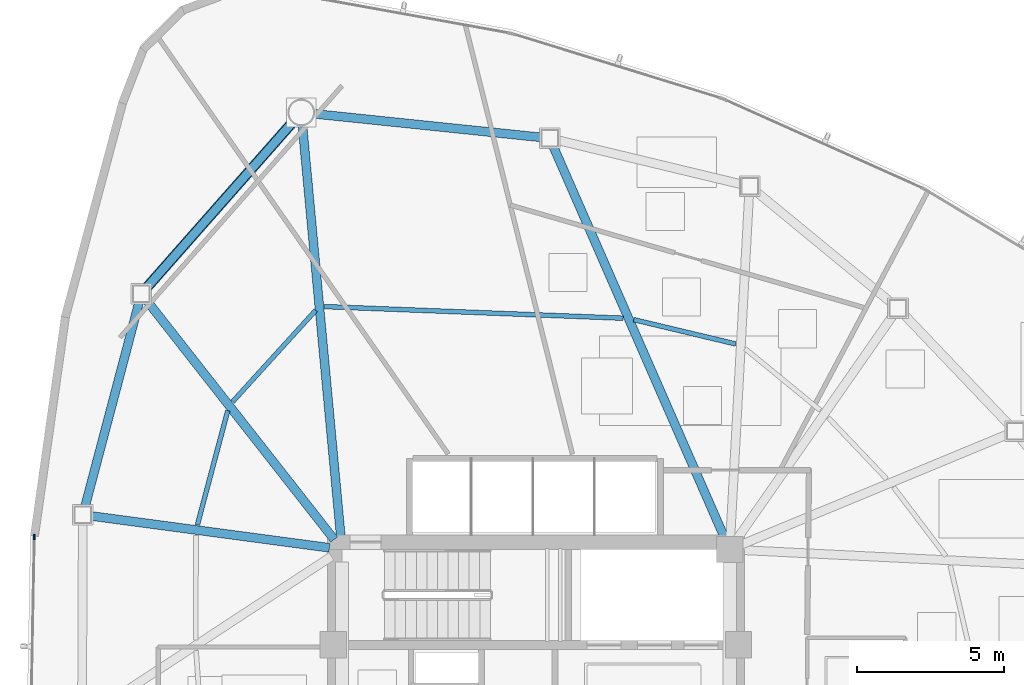
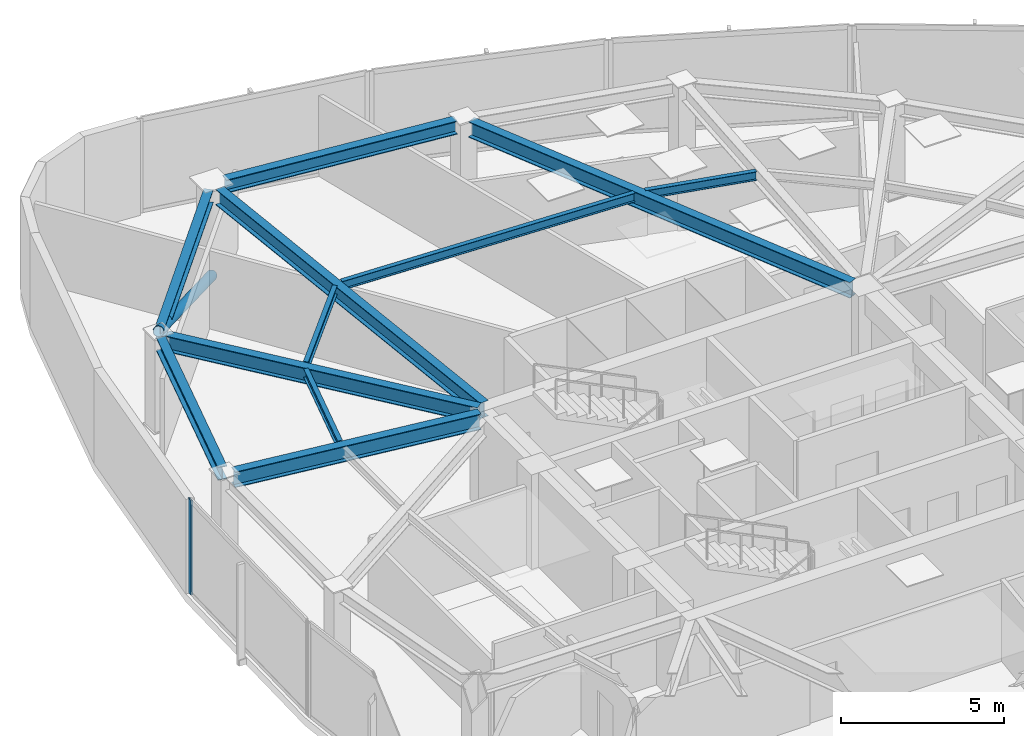
# One storey, part 7 of 17: 11 beams, 2 members, 1 element without a shape of its own.
"""IFC4 building model written with IfcOpenShell, lengths in metres."""

from ifc_helpers import new_model, si_unit, direction, frame, origin, origin_2d, place, context, subcontext, project, spatial, hollow_rectangle, hollow_circle, i_section, extrude, source, transform, mapped, material, layer, layer_set, material_profile, profile_set, type_object, type_shapes, element, aggregate, save


model = new_model("IFC4")

# Units and contexts
model_context = context("Model", 3, precision=1e-05, world=origin(), true_north=direction((0.0, 1.0)))
body_context = subcontext(model_context, "Body", "Model", "MODEL_VIEW")
ifc_project = project(units=[si_unit("LENGTHUNIT", "METRE"), si_unit("AREAUNIT", "SQUARE_METRE"), si_unit("VOLUMEUNIT", "CUBIC_METRE"), si_unit("PLANEANGLEUNIT", "RADIAN"), si_unit("MASSUNIT", "GRAM", prefix="KILO")], contexts=[model_context])

# Site, building, storey
site_placement = place(None, origin())
site = spatial("IfcSite", under=ifc_project, at=site_placement, CompositionType="ELEMENT")
building_placement = place(site_placement, origin())
building = spatial("IfcBuilding", under=site, at=building_placement, Name="Tavelor Broadcast Tower", CompositionType="ELEMENT")
storey_placement = place(building_placement, frame((0.0, 0.0, 169.5)))
storey = spatial("IfcBuildingStorey", under=building, at=storey_placement, Name="L40", CompositionType="ELEMENT", Elevation=169.5)

# Beams
ifc_material_1 = material(Name="Steel S355", Category="steel")
ifc_material_profile_1 = material_profile(ifc_material_1, i_section(OverallWidth=0.159912109375, OverallDepth=0.330078125, WebThickness=0.007568359375, FlangeThickness=0.011474609375, at=origin_2d()), Name="IPE 330")
ifc_profile_set_1 = profile_set([ifc_material_profile_1], Name="Steel S355")
beam_type_1 = type_object("IfcBeamType", Name="Composite Floor Joist T4 IPE 330", PredefinedType="JOIST", material=ifc_profile_set_1)
beam_1_placement = place(storey_placement, frame((42.505615234375, 59.343505859375, 3.385009765625), z_axis=(-0.672852052716, -0.739777071256, 0.0), x_axis=(0.739777071256, -0.672852052716, 0.0)))
element("IfcBeam", 1, at=beam_1_placement, inside=storey, type_object=beam_type_1, Name="L40 Secondary Composite Floor Joist 01", PredefinedType="JOIST", context=body_context, shape_type="SweptSolid", body=[
    extrude(i_section(OverallWidth=0.159912109375, OverallDepth=0.330078125, WebThickness=0.007568359375, FlangeThickness=0.011474609375, at=origin_2d()), origin(), (0.0, 0.0, 1.0), 4.202392578125),
])
beam_2_placement = place(storey_placement, frame((39.509521484375, 55.92578125, 3.385009765625), z_axis=(-0.256963595852, -0.966421083383, 0.0), x_axis=(0.966421083383, -0.256963595852, 0.0)))
element("IfcBeam", 2, at=beam_2_placement, inside=storey, type_object=beam_type_1, Name="L40 Secondary Composite Floor Joist 02", PredefinedType="JOIST", context=body_context, shape_type="SweptSolid", body=[
    extrude(i_section(OverallWidth=0.159912109375, OverallDepth=0.330078125, WebThickness=0.007568359375, FlangeThickness=0.011474609375, at=origin_2d()), origin(), (0.0, 0.0, 1.0), 4.021728515625),
])
beam_3_placement = place(storey_placement, frame((56.804443359375, 58.197021484375, 3.385009765625), z_axis=(-0.972674676245, 0.232172294196, 0.0), x_axis=(-0.232172294196, -0.972674676245, 0.0)))
element("IfcBeam", 3, at=beam_3_placement, inside=storey, type_object=beam_type_1, Name="L40 Secondary Composite Floor Joist 17", PredefinedType="JOIST", context=body_context, shape_type="SweptSolid", body=[
    extrude(i_section(OverallWidth=0.159912109375, OverallDepth=0.330078125, WebThickness=0.007568359375, FlangeThickness=0.011474609375, at=origin_2d()), origin(), (0.0, 0.0, 1.0), 3.56884765625),
])
beam_4_placement = place(storey_placement, frame((52.976318359375, 59.07470703125, 3.385009765625), z_axis=(-0.999243420365, 0.038891989637, 0.0), x_axis=(-0.038891989637, -0.999243420365, 0.0)))
element("IfcBeam", 4, at=beam_4_placement, inside=storey, type_object=beam_type_1, Name="L40 Secondary Composite Floor Joist 18", PredefinedType="JOIST", context=body_context, shape_type="SweptSolid", body=[
    extrude(i_section(OverallWidth=0.159912109375, OverallDepth=0.330078125, WebThickness=0.007568359375, FlangeThickness=0.011474609375, at=origin_2d()), origin(), (0.0, 0.0, 1.0), 10.17578125),
])
ifc_material_profile_2 = material_profile(ifc_material_1, i_section(OverallWidth=0.300048828125, OverallDepth=0.5, WebThickness=0.014404296875, FlangeThickness=0.028076171875, at=origin_2d()), Name="HEB 500")
ifc_profile_set_2 = profile_set([ifc_material_profile_2], Name="Steel S355")
beam_type_2 = type_object("IfcBeamType", Name="Perimeter Spandrel Beam T4 HEB 500", PredefinedType="SPANDREL", material=ifc_profile_set_2)
beam_5_placement = place(storey_placement, frame((41.720947265625, 65.7509765625, 3.300048828125), z_axis=(-0.661625943185, -0.749834055845, 0.0), x_axis=(0.749834055845, -0.661625943185, 0.0)))
element("IfcBeam", 5, at=beam_5_placement, inside=storey, type_object=beam_type_2, Name="L40 Framed-Tube Ring Spandrel 01", PredefinedType="SPANDREL", context=body_context, shape_type="SweptSolid", body=[
    extrude(i_section(OverallWidth=0.300048828125, OverallDepth=0.5, WebThickness=0.014404296875, FlangeThickness=0.028076171875, at=origin_2d()), origin(), (0.0, 0.0, 1.0), 7.500732421875),
])
beam_6_placement = place(storey_placement, frame((36.493896484375, 59.63232421875, 3.300048828125), z_axis=(-0.255762341211, -0.96673968824, 0.0), x_axis=(0.96673968824, -0.255762341211, 0.0)))
element("IfcBeam", 6, at=beam_6_placement, inside=storey, type_object=beam_type_2, Name="L40 Framed-Tube Ring Spandrel 02", PredefinedType="SPANDREL", context=body_context, shape_type="SweptSolid", body=[
    extrude(i_section(OverallWidth=0.300048828125, OverallDepth=0.5, WebThickness=0.014404296875, FlangeThickness=0.028076171875, at=origin_2d()), origin(), (0.0, 0.0, 1.0), 7.214599609375),
])
beam_7_placement = place(storey_placement, frame((50.18603515625, 65.23193359375, 3.300048828125), z_axis=(-0.99466284774, 0.103178579783, 0.0), x_axis=(-0.103178579783, -0.99466284774, 0.0)))
element("IfcBeam", 7, at=beam_7_placement, inside=storey, type_object=beam_type_2, Name="L40 Framed-Tube Ring Spandrel 18", PredefinedType="SPANDREL", context=body_context, shape_type="SweptSolid", body=[
    extrude(i_section(OverallWidth=0.300048828125, OverallDepth=0.5, WebThickness=0.014404296875, FlangeThickness=0.028076171875, at=origin_2d()), origin(), (0.0, 0.0, 1.0), 7.780029296875),
])

# Member
ifc_material_profile_3 = material_profile(ifc_material_1, hollow_circle(Radius=0.177734375, WallThickness=0.01611328125, at=origin_2d()), Name="CHS 355.6x16")
ifc_profile_set_3 = profile_set([ifc_material_profile_3], Name="Steel S355")
member_type_1 = type_object("IfcMemberType", Name="Perimeter Tube Brace T4 CHS 355.6x16", PredefinedType="BRACE", material=ifc_profile_set_3)
member_1_placement = place(storey_placement, frame((42.01123046875, 66.080078125, 0.0), z_axis=(-0.607484590691, -0.688484352459, 0.396171387776), x_axis=(0.74983872131, -0.661620655681, 0.0)))
element("IfcMember", 8, at=member_1_placement, inside=storey, type_object=member_type_1, Name="L40 Corner Tube Diagonal Brace 1", PredefinedType="BRACE", context=body_context, shape_type="SweptSolid", body=[
    extrude(hollow_circle(Radius=0.177734375, WallThickness=0.01611328125, at=origin_2d()), origin(), (0.0, 0.0, 1.0), 8.9609375),
])

# Beams
ifc_material_profile_4 = material_profile(ifc_material_1, i_section(OverallWidth=0.300048828125, OverallDepth=0.590087890625, WebThickness=0.012939453125, FlangeThickness=0.02490234375, at=origin_2d()), Name="HEA 600")
ifc_profile_set_4 = profile_set([ifc_material_profile_4], Name="Steel S355")
beam_type_3 = type_object("IfcBeamType", Name="Radial Floor Girder T4 HEA 600", PredefinedType="BEAM", material=ifc_profile_set_4)
beam_8_placement = place(storey_placement, frame((43.35986328125, 51.630126953125, 3.2548828125), z_axis=(-0.092926929372, 0.995672931136, 0.0), x_axis=(-0.995672931136, -0.092926929372, 0.0)))
element("IfcBeam", 9, at=beam_8_placement, inside=storey, type_object=beam_type_3, Name="L40 Radial Primary Floor Girder 01", PredefinedType="BEAM", context=body_context, shape_type="SweptSolid", body=[
    extrude(i_section(OverallWidth=0.300048828125, OverallDepth=0.590087890625, WebThickness=0.012939453125, FlangeThickness=0.02490234375, at=origin_2d()), origin(), (0.0, 0.0, 1.0), 14.073974609375),
])
beam_9_placement = place(storey_placement, frame((43.13330078125, 51.539794921875, 3.2548828125), z_axis=(-0.617155684101, 0.786841065007, 0.0), x_axis=(-0.786841065007, -0.617155684101, 0.0)))
element("IfcBeam", 10, at=beam_9_placement, inside=storey, type_object=beam_type_3, Name="L40 Radial Primary Floor Girder 02", PredefinedType="BEAM", context=body_context, shape_type="SweptSolid", body=[
    extrude(i_section(OverallWidth=0.300048828125, OverallDepth=0.590087890625, WebThickness=0.012939453125, FlangeThickness=0.02490234375, at=origin_2d()), origin(), (0.0, 0.0, 1.0), 10.3505859375),
])
beam_10_placement = place(storey_placement, frame((42.9716796875, 51.257080078125, 3.2548828125), z_axis=(-0.991183810809, 0.132493974169, 0.0), x_axis=(-0.132493974169, -0.991183810809, 0.0)))
element("IfcBeam", 11, at=beam_10_placement, inside=storey, type_object=beam_type_3, Name="L40 Radial Primary Floor Girder 03", PredefinedType="BEAM", context=body_context, shape_type="SweptSolid", body=[
    extrude(i_section(OverallWidth=0.300048828125, OverallDepth=0.590087890625, WebThickness=0.012939453125, FlangeThickness=0.02490234375, at=origin_2d()), origin(), (0.0, 0.0, 1.0), 8.183349609375),
])
beam_11_placement = place(storey_placement, frame((56.4267578125, 51.595703125, 3.2548828125), z_axis=(-0.4008997337, 0.916121937036, 0.0), x_axis=(-0.916121937036, -0.4008997337, 0.0)))
element("IfcBeam", 12, at=beam_11_placement, inside=storey, type_object=beam_type_3, Name="L40 Radial Primary Floor Girder 18", PredefinedType="BEAM", context=body_context, shape_type="SweptSolid", body=[
    extrude(i_section(OverallWidth=0.300048828125, OverallDepth=0.590087890625, WebThickness=0.012939453125, FlangeThickness=0.02490234375, at=origin_2d()), origin(), (0.0, 0.0, 1.0), 14.564453125),
])

# Curtain wall, member
ifc_material_2 = material(Name="Architectural Anodized Aluminium", Category="aluminium")
ifc_layer = layer(ifc_material_2, 0.18994140625)
ifc_layer_set = layer_set([ifc_layer], Name="Architectural Anodized Aluminium")
curtain_wall_type = type_object("IfcCurtainWallType", Name="Tower Mid-Zone Acoustic Curtain Wall CW03", PredefinedType="NOTDEFINED", material=ifc_layer_set)
curtain_wall_placement = place(storey_placement, origin())
curtain_wall = element("IfcCurtainWall", 13, at=curtain_wall_placement, inside=storey, type_object=curtain_wall_type, Name="L40 Curtain Wall CW03 Run 421", PredefinedType="NOTDEFINED")
ifc_material_profile_5 = material_profile(ifc_material_2, hollow_rectangle(XDim=0.068115234375, YDim=0.18994140625, WallThickness=0.02197265625, at=origin_2d()), Name="RHS 68x190x22")
ifc_profile_set_5 = profile_set([ifc_material_profile_5], Name="Architectural Anodized Aluminium")
member_type_2 = type_object("IfcMemberType", Name="CW03 Extruded Aluminium Mullion 68x190", PredefinedType="MULLION", material=ifc_profile_set_5)
shared_shape = source(origin(), body_context, "Body", "SweptSolid", [
    extrude(hollow_rectangle(XDim=0.068115234375, YDim=0.18994140625, WallThickness=0.02197265625, at=origin_2d()), origin(), (0.0, 0.0, 1.0), 3.550048828125),
])
type_shapes(member_type_2, [shared_shape])
member_2_placement = place(storey_placement, frame((32.92626953125, 51.630615234375, 0.0), z_axis=(0.0, 0.0, 1.0), x_axis=(0.999823860004, -0.018768296874, 0.0)))
member_2 = element("IfcMember", 14, at=member_2_placement, type_object=member_type_2, Name="CW03 mullion 1", PredefinedType="MULLION", context=body_context, shape_type="MappedRepresentation", body=[
    mapped(shared_shape, transform((0.0, 0.0, 0.0), scale=1.0)),
])
aggregate(curtain_wall, [member_2])

save(model, "model.ifc")
